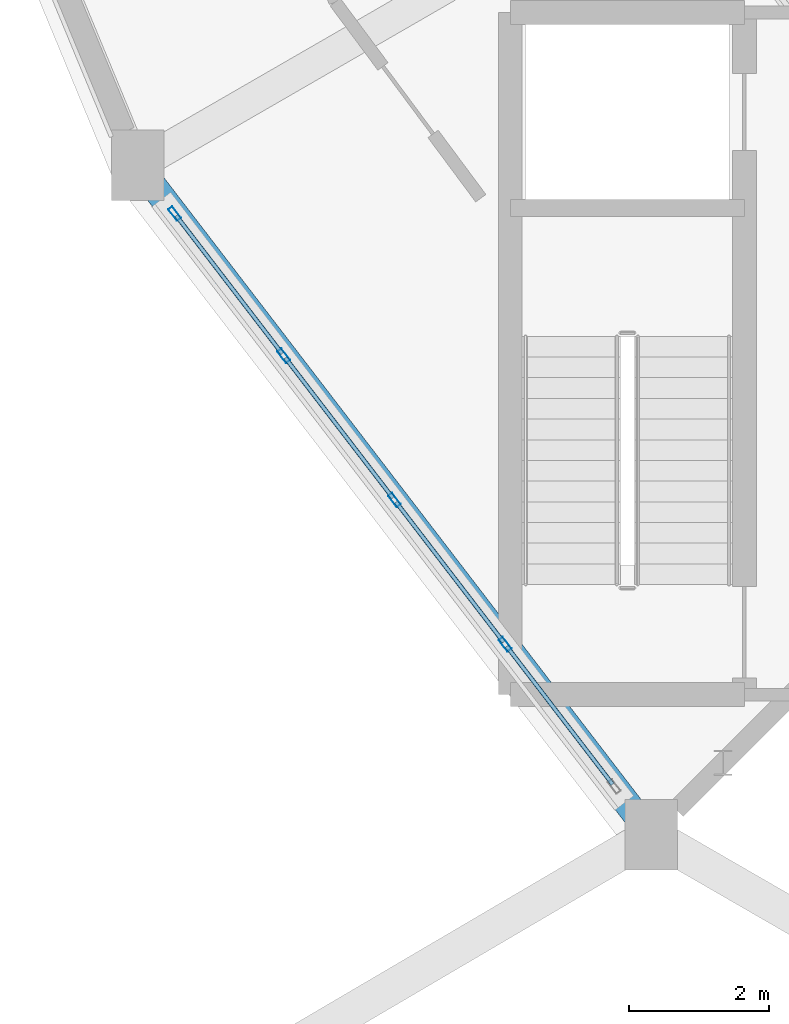
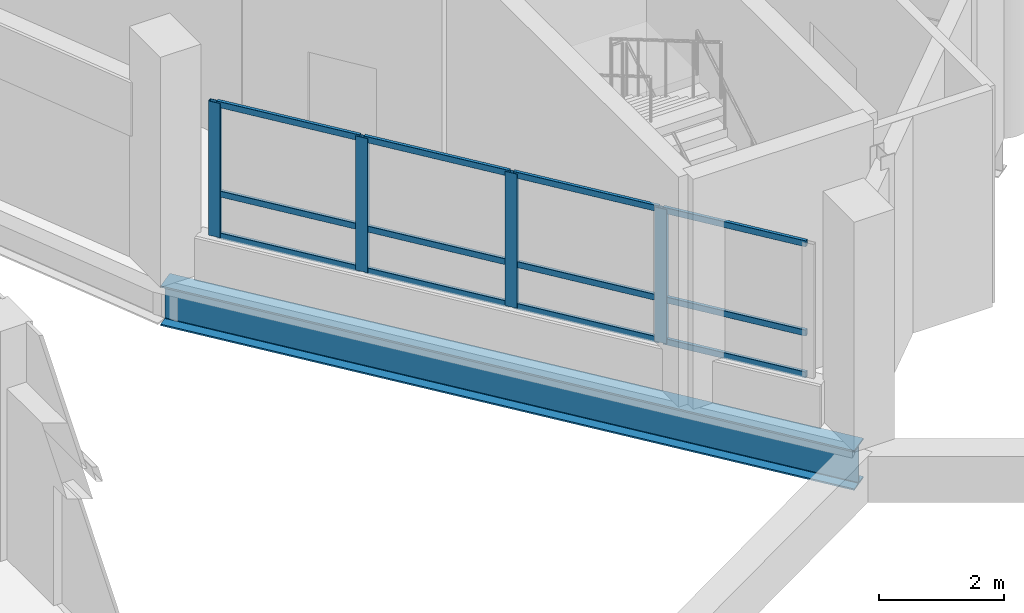
# One storey, part 28 of 129: 16 members, 1 beam, 1 element without a shape of its own.
"""IFC4 building model written with IfcOpenShell, lengths in metres."""

from ifc_helpers import new_model, si_unit, direction, frame, origin, origin_2d, place, context, subcontext, project, spatial, hollow_rectangle, i_section, extrude, material, layer, layer_set, material_profile, profile_set, type_object, element, aggregate, save


model = new_model("IFC4")

# Units and contexts
model_context = context("Model", 3, precision=1e-05, world=origin(), true_north=direction((0.0, 1.0)))
body_context = subcontext(model_context, "Body", "Model", "MODEL_VIEW")
ifc_project = project(units=[si_unit("LENGTHUNIT", "METRE"), si_unit("AREAUNIT", "SQUARE_METRE"), si_unit("VOLUMEUNIT", "CUBIC_METRE"), si_unit("PLANEANGLEUNIT", "RADIAN"), si_unit("MASSUNIT", "GRAM", prefix="KILO")], contexts=[model_context])

# Site, building, storey
site_placement = place(None, origin())
site = spatial("IfcSite", under=ifc_project, at=site_placement, CompositionType="ELEMENT")
building_placement = place(site_placement, origin())
building = spatial("IfcBuilding", under=site, at=building_placement, Name="Vespera Passage Community Centre", CompositionType="ELEMENT")
storey_placement = place(building_placement, origin())
storey = spatial("IfcBuildingStorey", under=building, at=storey_placement, Name="L00", CompositionType="ELEMENT", Elevation=0.0)

# Beam
ifc_material_1 = material(Name="Steel ASTM A992 Grade 50", Category="steel")
ifc_material_profile_1 = material_profile(ifc_material_1, i_section(OverallWidth=0.382080078125, OverallDepth=0.779296875, WebThickness=0.01806640625, FlangeThickness=0.030029296875, FilletRadius=0.0166015625, at=origin_2d()), Name="W30X191")
ifc_profile_set_1 = profile_set([ifc_material_profile_1], Name="Steel ASTM A992 Grade 50")
beam_type = type_object("IfcBeamType", Name="BM-SP-W30X191E", PredefinedType="SPANDREL", material=ifc_profile_set_1)
beam_placement = place(storey_placement, frame((38.076171875, 42.449951171875, -0.669677734375), z_axis=(0.608763261066, -0.793351934501, 0.0), x_axis=(0.793351934501, 0.608763261066, 0.0)))
element("IfcBeam", 1, at=beam_placement, inside=storey, type_object=beam_type, Name="V4 L00 Outer Spandrel 14", PredefinedType="SPANDREL", context=body_context, shape_type="SweptSolid", body=[
    extrude(i_section(OverallWidth=0.382080078125, OverallDepth=0.779296875, WebThickness=0.01806640625, FlangeThickness=0.030029296875, FilletRadius=0.0166015625, at=origin_2d()), origin(), (0.0, 0.0, 1.0), 12.034423828125),
])

# Curtain wall, members
ifc_material_2 = material(Name="Anodized aluminium 6063-T6", Category="aluminium")
ifc_layer = layer(ifc_material_2, 0.159912109375)
ifc_layer_set = layer_set([ifc_layer], Name="Anodized aluminium 6063-T6")
curtain_wall_type = type_object("IfcCurtainWallType", Name="CW-10E", PredefinedType="NOTDEFINED", material=ifc_layer_set)
curtain_wall_placement = place(storey_placement, origin())
curtain_wall = element("IfcCurtainWall", 2, at=curtain_wall_placement, inside=storey, type_object=curtain_wall_type, Name="V4 L00 Outer Ribbon Curtain Wall 14", PredefinedType="NOTDEFINED")
ifc_material_3 = material(Name="Anodized aluminium 6063-T6", Category="aluminium")
ifc_material_profile_2 = material_profile(ifc_material_3, hollow_rectangle(XDim=0.074951171875, YDim=0.2099609375, WallThickness=0.0048828125, InnerFilletRadius=0.00244140625, OuterFilletRadius=0.0048828125, at=origin_2d()), Name="ALU210X75X5")
ifc_profile_set_2 = profile_set([ifc_material_profile_2], Name="Anodized aluminium 6063-T6")
member_type_1 = type_object("IfcMemberType", Name="MB-CWM-210E", PredefinedType="MULLION", material=ifc_profile_set_2)
member_1_placement = place(storey_placement, frame((43.31787109375, 35.618896484375, 0.820068359375), z_axis=(0.0, 0.0, 1.0), x_axis=(-0.793350257139, -0.608765447029, 0.0)))
member_1 = element("IfcMember", 3, at=member_1_placement, type_object=member_type_1, Name="CW-10E mullion 2", PredefinedType="MULLION", context=body_context, shape_type="SweptSolid", body=[
    extrude(hollow_rectangle(XDim=0.074951171875, YDim=0.2099609375, WallThickness=0.0048828125, InnerFilletRadius=0.00244140625, OuterFilletRadius=0.0048828125, at=origin_2d()), origin(), (0.0, 0.0, 1.0), 2.62548828125),
])
member_2_placement = place(storey_placement, frame((41.7392578125, 37.67626953125, 0.820068359375), z_axis=(0.0, 0.0, 1.0), x_axis=(-0.793350257139, -0.608765447029, 0.0)))
member_2 = element("IfcMember", 4, at=member_2_placement, type_object=member_type_1, Name="CW-10E mullion 3", PredefinedType="MULLION", context=body_context, shape_type="SweptSolid", body=[
    extrude(hollow_rectangle(XDim=0.074951171875, YDim=0.2099609375, WallThickness=0.0048828125, InnerFilletRadius=0.00244140625, OuterFilletRadius=0.0048828125, at=origin_2d()), origin(), (0.0, 0.0, 1.0), 2.62548828125),
])
member_3_placement = place(storey_placement, frame((40.16064453125, 39.7333984375, 0.820068359375), z_axis=(0.0, 0.0, 1.0), x_axis=(-0.793350257139, -0.608765447029, 0.0)))
member_3 = element("IfcMember", 5, at=member_3_placement, type_object=member_type_1, Name="CW-10E mullion 4", PredefinedType="MULLION", context=body_context, shape_type="SweptSolid", body=[
    extrude(hollow_rectangle(XDim=0.074951171875, YDim=0.2099609375, WallThickness=0.0048828125, InnerFilletRadius=0.00244140625, OuterFilletRadius=0.0048828125, at=origin_2d()), origin(), (0.0, 0.0, 1.0), 2.62548828125),
])
member_4_placement = place(storey_placement, frame((38.60498046875, 41.760986328125, 0.820068359375), z_axis=(0.0, 0.0, 1.0), x_axis=(-0.793350257139, -0.608765447029, 0.0)))
member_4 = element("IfcMember", 6, at=member_4_placement, type_object=member_type_1, Name="CW-10E mullion 5", PredefinedType="MULLION", context=body_context, shape_type="SweptSolid", body=[
    extrude(hollow_rectangle(XDim=0.074951171875, YDim=0.2099609375, WallThickness=0.0048828125, InnerFilletRadius=0.00244140625, OuterFilletRadius=0.0048828125, at=origin_2d()), origin(), (0.0, 0.0, 1.0), 2.62548828125),
])
ifc_material_4 = material(Name="Anodized aluminium 6063-T6", Category="aluminium")
ifc_material_profile_3 = material_profile(ifc_material_4, hollow_rectangle(XDim=0.06005859375, YDim=0.1201171875, WallThickness=0.00390625, InnerFilletRadius=0.001953125, OuterFilletRadius=0.00390625, at=origin_2d()), Name="ALU120X60X4")
ifc_profile_set_3 = profile_set([ifc_material_profile_3], Name="Anodized aluminium 6063-T6")
member_type_2 = type_object("IfcMemberType", Name="MB-CWT-120E", PredefinedType="USERDEFINED", material=ifc_profile_set_3)
member_5_placement = place(storey_placement, frame((44.850830078125, 33.62109375, 0.85009765625), z_axis=(-0.608735234275, 0.79337343953, 0.0), x_axis=(-0.79337343953, -0.608735234275, 0.0)))
member_5 = element("IfcMember", 7, at=member_5_placement, type_object=member_type_2, Name="CW-10E transom 1.1", ObjectType="TRANSOM", PredefinedType="USERDEFINED", context=body_context, shape_type="SweptSolid", body=[
    extrude(hollow_rectangle(XDim=0.06005859375, YDim=0.1201171875, WallThickness=0.00390625, InnerFilletRadius=0.001953125, OuterFilletRadius=0.00390625, at=origin_2d()), origin(), (0.0, 0.0, 1.0), 2.48046875),
])
member_6_placement = place(storey_placement, frame((44.850830078125, 33.62109375, 1.669921875), z_axis=(-0.608735234275, 0.79337343953, 0.0), x_axis=(-0.79337343953, -0.608735234275, 0.0)))
member_6 = element("IfcMember", 8, at=member_6_placement, type_object=member_type_2, Name="CW-10E transom 1.2", ObjectType="TRANSOM", PredefinedType="USERDEFINED", context=body_context, shape_type="SweptSolid", body=[
    extrude(hollow_rectangle(XDim=0.06005859375, YDim=0.1201171875, WallThickness=0.00390625, InnerFilletRadius=0.001953125, OuterFilletRadius=0.00390625, at=origin_2d()), origin(), (0.0, 0.0, 1.0), 2.48046875),
])
member_7_placement = place(storey_placement, frame((44.850830078125, 33.62109375, 3.41552734375), z_axis=(-0.608735234275, 0.79337343953, 0.0), x_axis=(-0.79337343953, -0.608735234275, 0.0)))
member_7 = element("IfcMember", 9, at=member_7_placement, type_object=member_type_2, Name="CW-10E transom 1.3", ObjectType="TRANSOM", PredefinedType="USERDEFINED", context=body_context, shape_type="SweptSolid", body=[
    extrude(hollow_rectangle(XDim=0.06005859375, YDim=0.1201171875, WallThickness=0.00390625, InnerFilletRadius=0.001953125, OuterFilletRadius=0.00390625, at=origin_2d()), origin(), (0.0, 0.0, 1.0), 2.48046875),
])
member_8_placement = place(storey_placement, frame((43.295166015625, 35.648681640625, 0.85009765625), z_axis=(-0.608759186888, 0.793355060726, 0.0), x_axis=(-0.793355060726, -0.608759186888, 0.0)))
member_8 = element("IfcMember", 10, at=member_8_placement, type_object=member_type_2, Name="CW-10E transom 2.1", ObjectType="TRANSOM", PredefinedType="USERDEFINED", context=body_context, shape_type="SweptSolid", body=[
    extrude(hollow_rectangle(XDim=0.06005859375, YDim=0.1201171875, WallThickness=0.00390625, InnerFilletRadius=0.001953125, OuterFilletRadius=0.00390625, at=origin_2d()), origin(), (0.0, 0.0, 1.0), 2.51806640625),
])
member_9_placement = place(storey_placement, frame((43.295166015625, 35.648681640625, 1.669921875), z_axis=(-0.608759186888, 0.793355060726, 0.0), x_axis=(-0.793355060726, -0.608759186888, 0.0)))
member_9 = element("IfcMember", 11, at=member_9_placement, type_object=member_type_2, Name="CW-10E transom 2.2", ObjectType="TRANSOM", PredefinedType="USERDEFINED", context=body_context, shape_type="SweptSolid", body=[
    extrude(hollow_rectangle(XDim=0.06005859375, YDim=0.1201171875, WallThickness=0.00390625, InnerFilletRadius=0.001953125, OuterFilletRadius=0.00390625, at=origin_2d()), origin(), (0.0, 0.0, 1.0), 2.51806640625),
])
member_10_placement = place(storey_placement, frame((43.295166015625, 35.648681640625, 3.41552734375), z_axis=(-0.608759186888, 0.793355060726, 0.0), x_axis=(-0.793355060726, -0.608759186888, 0.0)))
member_10 = element("IfcMember", 12, at=member_10_placement, type_object=member_type_2, Name="CW-10E transom 2.3", ObjectType="TRANSOM", PredefinedType="USERDEFINED", context=body_context, shape_type="SweptSolid", body=[
    extrude(hollow_rectangle(XDim=0.06005859375, YDim=0.1201171875, WallThickness=0.00390625, InnerFilletRadius=0.001953125, OuterFilletRadius=0.00390625, at=origin_2d()), origin(), (0.0, 0.0, 1.0), 2.51806640625),
])
member_11_placement = place(storey_placement, frame((41.716552734375, 37.7060546875, 0.85009765625), z_axis=(-0.608806013392, 0.7933191275, 0.0), x_axis=(-0.7933191275, -0.608806013392, 0.0)))
member_11 = element("IfcMember", 13, at=member_11_placement, type_object=member_type_2, Name="CW-10E transom 3.1", ObjectType="TRANSOM", PredefinedType="USERDEFINED", context=body_context, shape_type="SweptSolid", body=[
    extrude(hollow_rectangle(XDim=0.06005859375, YDim=0.1201171875, WallThickness=0.00390625, InnerFilletRadius=0.001953125, OuterFilletRadius=0.00390625, at=origin_2d()), origin(), (0.0, 0.0, 1.0), 2.51806640625),
])
member_12_placement = place(storey_placement, frame((41.716552734375, 37.7060546875, 1.669921875), z_axis=(-0.608806013392, 0.7933191275, 0.0), x_axis=(-0.7933191275, -0.608806013392, 0.0)))
member_12 = element("IfcMember", 14, at=member_12_placement, type_object=member_type_2, Name="CW-10E transom 3.2", ObjectType="TRANSOM", PredefinedType="USERDEFINED", context=body_context, shape_type="SweptSolid", body=[
    extrude(hollow_rectangle(XDim=0.06005859375, YDim=0.1201171875, WallThickness=0.00390625, InnerFilletRadius=0.001953125, OuterFilletRadius=0.00390625, at=origin_2d()), origin(), (0.0, 0.0, 1.0), 2.51806640625),
])
member_13_placement = place(storey_placement, frame((41.716552734375, 37.7060546875, 3.41552734375), z_axis=(-0.608806013392, 0.7933191275, 0.0), x_axis=(-0.7933191275, -0.608806013392, 0.0)))
member_13 = element("IfcMember", 15, at=member_13_placement, type_object=member_type_2, Name="CW-10E transom 3.3", ObjectType="TRANSOM", PredefinedType="USERDEFINED", context=body_context, shape_type="SweptSolid", body=[
    extrude(hollow_rectangle(XDim=0.06005859375, YDim=0.1201171875, WallThickness=0.00390625, InnerFilletRadius=0.001953125, OuterFilletRadius=0.00390625, at=origin_2d()), origin(), (0.0, 0.0, 1.0), 2.51806640625),
])
member_14_placement = place(storey_placement, frame((40.137939453125, 39.76318359375, 0.85009765625), z_axis=(-0.608797179099, 0.793325907002, 0.0), x_axis=(-0.793325907002, -0.608797179099, 0.0)))
member_14 = element("IfcMember", 16, at=member_14_placement, type_object=member_type_2, Name="CW-10E transom 4.1", ObjectType="TRANSOM", PredefinedType="USERDEFINED", context=body_context, shape_type="SweptSolid", body=[
    extrude(hollow_rectangle(XDim=0.06005859375, YDim=0.1201171875, WallThickness=0.00390625, InnerFilletRadius=0.001953125, OuterFilletRadius=0.00390625, at=origin_2d()), origin(), (0.0, 0.0, 1.0), 2.480712890625),
])
member_15_placement = place(storey_placement, frame((40.137939453125, 39.76318359375, 1.669921875), z_axis=(-0.608797179099, 0.793325907002, 0.0), x_axis=(-0.793325907002, -0.608797179099, 0.0)))
member_15 = element("IfcMember", 17, at=member_15_placement, type_object=member_type_2, Name="CW-10E transom 4.2", ObjectType="TRANSOM", PredefinedType="USERDEFINED", context=body_context, shape_type="SweptSolid", body=[
    extrude(hollow_rectangle(XDim=0.06005859375, YDim=0.1201171875, WallThickness=0.00390625, InnerFilletRadius=0.001953125, OuterFilletRadius=0.00390625, at=origin_2d()), origin(), (0.0, 0.0, 1.0), 2.480712890625),
])
member_16_placement = place(storey_placement, frame((40.137939453125, 39.76318359375, 3.41552734375), z_axis=(-0.608797179099, 0.793325907002, 0.0), x_axis=(-0.793325907002, -0.608797179099, 0.0)))
member_16 = element("IfcMember", 18, at=member_16_placement, type_object=member_type_2, Name="CW-10E transom 4.3", ObjectType="TRANSOM", PredefinedType="USERDEFINED", context=body_context, shape_type="SweptSolid", body=[
    extrude(hollow_rectangle(XDim=0.06005859375, YDim=0.1201171875, WallThickness=0.00390625, InnerFilletRadius=0.001953125, OuterFilletRadius=0.00390625, at=origin_2d()), origin(), (0.0, 0.0, 1.0), 2.480712890625),
])
aggregate(curtain_wall, [member_1, member_2, member_3, member_4, member_5, member_6, member_7, member_8, member_9, member_10, member_11, member_12, member_13, member_14, member_15, member_16])

save(model, "model.ifc")
